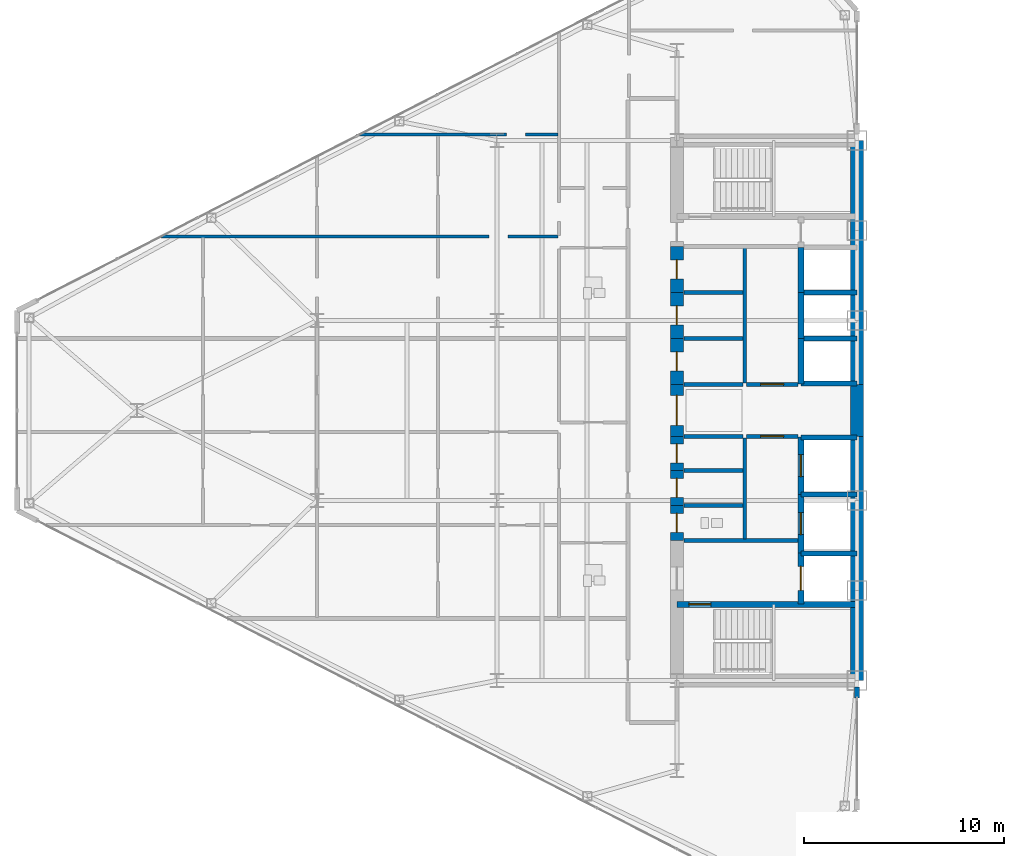
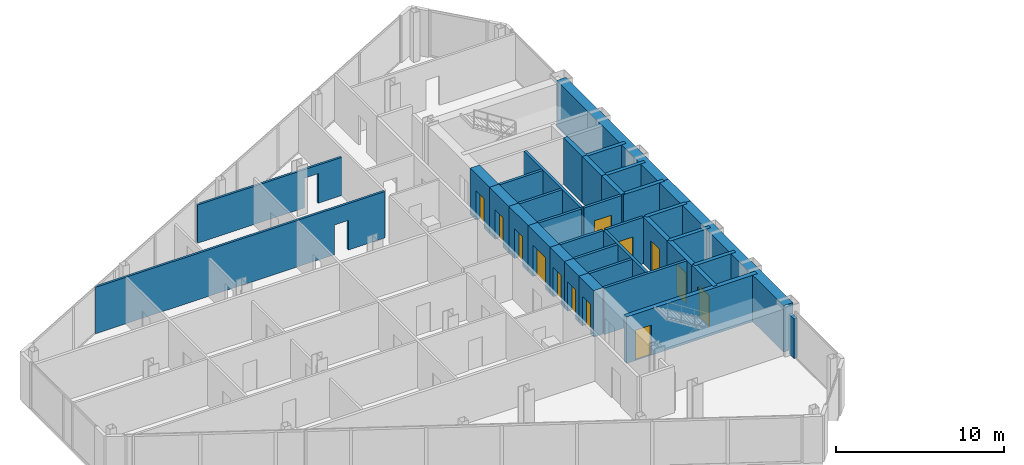
# One storey, part 17 of 24: 37 walls, 13 doors, 15 openings.
"""IFC4 building model written with IfcOpenShell, lengths in metres."""

from ifc_helpers import new_model, si_unit, direction, frame, frame_2d, origin, place, context, subcontext, project, spatial, rectangle, extrude, source, transform, mapped, material, layer, layer_set, type_object, type_shapes, element, fill, save


model = new_model("IFC4")

# Units and contexts
model_context = context("Model", 3, precision=1e-05, world=origin(), true_north=direction((0.0, 1.0)))
body_context = subcontext(model_context, "Body", "Model", "MODEL_VIEW")
ifc_project = project(units=[si_unit("LENGTHUNIT", "METRE"), si_unit("AREAUNIT", "SQUARE_METRE"), si_unit("VOLUMEUNIT", "CUBIC_METRE"), si_unit("PLANEANGLEUNIT", "RADIAN"), si_unit("MASSUNIT", "GRAM", prefix="KILO")], contexts=[model_context])

# Site, building, storey
site_placement = place(None, origin())
site = spatial("IfcSite", under=ifc_project, at=site_placement, CompositionType="ELEMENT")
building_placement = place(site_placement, origin())
building = spatial("IfcBuilding", under=site, at=building_placement, Name="Seokmaru Belvedere", CompositionType="ELEMENT")
storey_placement = place(building_placement, frame((0.0, 0.0, 121.199951171875)))
storey = spatial("IfcBuildingStorey", under=building, at=storey_placement, Name="L32", CompositionType="ELEMENT", Elevation=121.199951171875)

# Wall, opening
ifc_material_1 = material(Name="Fire-Rated Gypsum Shaftwall")
ifc_layer_1 = layer(ifc_material_1, 0.14990234375)
ifc_layer_set_1 = layer_set([ifc_layer_1], Name="Fire-Rated Gypsum Shaftwall")
wall_type_1 = type_object("IfcWallType", Name="Apartment Fire-Acoustic Room Partition 150", PredefinedType="PARTITIONING", material=ifc_layer_set_1)
wall_1_placement = place(storey_placement, frame((-62.321044921875, 8.699951171875, 0.0), z_axis=(0.0, 0.0, 1.0), x_axis=(1.0, 0.0, 0.0)))
wall_1 = element("IfcWall", 1, at=wall_1_placement, inside=storey, type_object=wall_type_1, Name="L32 Interior Partition 020", PredefinedType="PARTITIONING", context=body_context, shape_type="SweptSolid", body=[
    extrude(rectangle(XDim=19.87109375, YDim=0.14990234375, at=frame_2d((9.935546875, 0.0))), origin(), (0.0, 0.0, 1.0), 3.380126953125),
])
opening_1_placement = place(wall_1_placement, frame((16.4208984375, 0.0, 0.0)))
element("IfcOpeningElement", 2, at=opening_1_placement, cuts=wall_1, Name="L32 Cased Opening 020", PredefinedType="OPENING", context=body_context, shape_type="SweptSolid", body=[
    extrude(rectangle(XDim=0.949951171875, YDim=2.14990234375, at=frame_2d((0.47509765625, 1.074951171875))), frame((0.0, 0.0849609375, 0.0), z_axis=(0.0, -1.0, 0.0), x_axis=(1.0, 0.0, 0.0)), (0.0, 0.0, 1.0), 0.169921875),
])

wall_2_placement = place(storey_placement, frame((-52.3779296875, 13.800048828125, 0.0), z_axis=(0.0, 0.0, 1.0), x_axis=(1.0, 0.0, 0.0)))
wall_2 = element("IfcWall", 3, at=wall_2_placement, inside=storey, type_object=wall_type_1, Name="L32 Interior Partition 023", PredefinedType="PARTITIONING", context=body_context, shape_type="SweptSolid", body=[
    extrude(rectangle(XDim=9.927978515625, YDim=0.14990234375, at=frame_2d((4.9638671875, 0.0))), origin(), (0.0, 0.0, 1.0), 2.780029296875),
])
opening_2_placement = place(wall_2_placement, frame((7.351318359375, 0.0, 0.0)))
element("IfcOpeningElement", 4, at=opening_2_placement, cuts=wall_2, Name="L32 Cased Opening 022", PredefinedType="OPENING", context=body_context, shape_type="SweptSolid", body=[
    extrude(rectangle(XDim=0.949951171875, YDim=2.14990234375, at=frame_2d((0.47509765625, 1.074951171875))), frame((0.0, 0.0849609375, 0.0), z_axis=(0.0, -1.0, 0.0), x_axis=(1.0, 0.0, 0.0)), (0.0, 0.0, 1.0), 0.169921875),
])

# Walls
ifc_layer_2 = layer(ifc_material_1, 0.179931640625)
ifc_layer_set_2 = layer_set([ifc_layer_2], Name="Fire-Rated Gypsum Shaftwall")
wall_type_2 = type_object("IfcWallType", Name="Core Service Fire Partition 180", PredefinedType="PARTITIONING", material=ifc_layer_set_2)
wall_3_placement = place(storey_placement, frame((-36.14990234375, -6.5, 0.0), z_axis=(0.0, 0.0, 1.0), x_axis=(1.0, 0.0, 0.0)))
element("IfcWall", 5, at=wall_3_placement, inside=storey, type_object=wall_type_2, Name="L32 West Firefighting Lobby Partition", PredefinedType="PARTITIONING", context=body_context, shape_type="SweptSolid", body=[
    extrude(rectangle(XDim=5.699951171875, YDim=0.179931640625, at=frame_2d((2.85009765625, 0.0))), origin(), (0.0, 0.0, 1.0), 3.380126953125),
])
wall_4_placement = place(storey_placement, frame((-33.10009765625, -6.419921875, 0.0), z_axis=(0.0, 0.0, 1.0), x_axis=(0.0, 1.0, 0.0)))
element("IfcWall", 6, at=wall_4_placement, inside=storey, type_object=wall_type_2, Name="L32 West South Core Service Back Wall", PredefinedType="PARTITIONING", context=body_context, shape_type="SweptSolid", body=[
    extrude(rectangle(XDim=5.0400390625, YDim=0.179931640625, at=frame_2d((2.52001953125, 0.0))), origin(), (0.0, 0.0, 1.0), 3.380126953125),
])
wall_5_placement = place(storey_placement, frame((-33.10009765625, 1.3798828125, 0.0), z_axis=(0.0, 0.0, 1.0), x_axis=(0.0, 1.0, 0.0)))
element("IfcWall", 7, at=wall_5_placement, inside=storey, type_object=wall_type_2, Name="L32 West North Core Service Back Wall", PredefinedType="PARTITIONING", context=body_context, shape_type="SweptSolid", body=[
    extrude(rectangle(XDim=6.740234375, YDim=0.179931640625, at=frame_2d((3.3701171875, 0.0))), origin(), (0.0, 0.0, 1.0), 3.380126953125),
])

# Wall, opening, door
wall_6_placement = place(storey_placement, frame((-33.02001953125, -1.300048828125, 0.0), z_axis=(0.0, 0.0, 1.0), x_axis=(1.0, 0.0, 0.0)))
wall_6 = element("IfcWall", 8, at=wall_6_placement, inside=storey, type_object=wall_type_2, Name="L32 West South Lift Lobby Foyer Wall", PredefinedType="PARTITIONING", context=body_context, shape_type="SweptSolid", body=[
    extrude(rectangle(XDim=2.570068359375, YDim=0.179931640625, at=frame_2d((1.28515625, 0.0))), origin(), (0.0, 0.0, 1.0), 3.380126953125),
])
opening_3_placement = place(wall_6_placement, frame((0.7099609375, 0.0, 0.0)))
opening_3 = element("IfcOpeningElement", 9, at=opening_3_placement, cuts=wall_6, Name="Opening D02", PredefinedType="OPENING", context=body_context, shape_type="SweptSolid", body=[
    extrude(rectangle(XDim=1.14990234375, YDim=2.199951171875, at=frame_2d((0.574951171875, 1.10009765625))), frame((0.0, 0.10009765625, 0.0), z_axis=(0.0, -1.0, 0.0), x_axis=(1.0, 0.0, 0.0)), (0.0, 0.0, 1.0), 0.199951171875),
])
ifc_material_2 = material(Name="Fire-Rated Steel Leaf", Category="steel")
door_type_1 = type_object("IfcDoorType", Name="Lobby and Vestibule Fire Door 1150x2200", OperationType="NOTDEFINED", PredefinedType="DOOR", material=ifc_material_2)
shared_shape_1 = source(origin(), body_context, "Body", "SweptSolid", [
    extrude(rectangle(XDim=1.14990234375, YDim=2.199951171875, at=frame_2d((0.574951171875, 1.10009765625))), frame((0.0, 0.02490234375, 0.0), z_axis=(0.0, -1.0, 0.0), x_axis=(1.0, 0.0, 0.0)), (0.0, 0.0, 1.0), 0.050048828125),
])
type_shapes(door_type_1, [shared_shape_1])
door_1_placement = place(opening_3_placement, origin())
door_1 = element("IfcDoor", 10, at=door_1_placement, inside=storey, type_object=door_type_1, Name="L32 West South Core Foyer Door", OperationType="SINGLE_SWING_LEFT", OverallHeight=2.199951171875, OverallWidth=1.14990234375, PredefinedType="DOOR", context=body_context, shape_type="MappedRepresentation", body=[
    mapped(shared_shape_1, transform((0.0, 0.0, 0.0), scale=1.0)),
])
fill(opening_3, door_1)

wall_7_placement = place(storey_placement, frame((-33.02001953125, 1.300048828125, 0.0), z_axis=(0.0, 0.0, 1.0), x_axis=(1.0, 0.0, 0.0)))
wall_7 = element("IfcWall", 11, at=wall_7_placement, inside=storey, type_object=wall_type_2, Name="L32 West North Lift Lobby Foyer Wall", PredefinedType="PARTITIONING", context=body_context, shape_type="SweptSolid", body=[
    extrude(rectangle(XDim=2.570068359375, YDim=0.179931640625, at=frame_2d((1.28515625, 0.0))), origin(), (0.0, 0.0, 1.0), 3.380126953125),
])
opening_4_placement = place(wall_7_placement, frame((0.7099609375, 0.0, 0.0)))
opening_4 = element("IfcOpeningElement", 12, at=opening_4_placement, cuts=wall_7, Name="Opening D02", PredefinedType="OPENING", context=body_context, shape_type="SweptSolid", body=[
    extrude(rectangle(XDim=1.14990234375, YDim=2.199951171875, at=frame_2d((0.574951171875, 1.10009765625))), frame((0.0, 0.10009765625, 0.0), z_axis=(0.0, -1.0, 0.0), x_axis=(1.0, 0.0, 0.0)), (0.0, 0.0, 1.0), 0.199951171875),
])
door_2_placement = place(opening_4_placement, origin())
door_2 = element("IfcDoor", 13, at=door_2_placement, inside=storey, type_object=door_type_1, Name="L32 West North Lift Lobby Door", OperationType="SINGLE_SWING_RIGHT", OverallHeight=2.199951171875, OverallWidth=1.14990234375, PredefinedType="DOOR", context=body_context, shape_type="MappedRepresentation", body=[
    mapped(shared_shape_1, transform((0.0, 0.0, 0.0), scale=1.0)),
])
fill(opening_4, door_2)

# Walls
for number, where, z_axis, x_axis, name in (
    (14, (-36.14990234375, -1.300048828125, 0.0), (0.0, 0.0, 1.0), (1.0, 0.0, 0.0), "L32 West Foyer Side Wall S"),
    (15, (-36.14990234375, 1.300048828125, 0.0), (0.0, 0.0, 1.0), (1.0, 0.0, 0.0), "L32 West Foyer Side Wall N"),
    (16, (-36.14990234375, -4.75, 0.0), (0.0, 0.0, 1.0), (1.0, 0.0, 0.0), "L32 West Core Service Partition 1"),
    (17, (-36.14990234375, -3.0, 0.0), (0.0, 0.0, 1.0), (1.0, 0.0, 0.0), "L32 West Core Service Partition 2"),
    (18, (-36.14990234375, 3.60009765625, 0.0), (0.0, 0.0, 1.0), (1.0, 0.0, 0.0), "L32 West Core Service Partition 3"),
    (19, (-36.14990234375, 5.89990234375, 0.0), (0.0, 0.0, 1.0), (1.0, 0.0, 0.0), "L32 West Core Service Partition 4"),
):
    element("IfcWall", number, at=place(storey_placement, frame(where, z_axis=z_axis, x_axis=x_axis)), inside=storey, type_object=wall_type_2, Name=name, PredefinedType="PARTITIONING", context=body_context, shape_type="SweptSolid", body=[
        extrude(rectangle(XDim=2.949951171875, YDim=0.179931640625, at=frame_2d((1.47509765625, 0.0))), origin(), (0.0, 0.0, 1.0), 3.380126953125),
    ])
ifc_material_3 = material(Name="Concrete C50 (50 MPa)", Category="concrete")
ifc_layer_3 = layer(ifc_material_3, 0.25)
ifc_layer_set_3 = layer_set([ifc_layer_3], Name="Concrete C50 (50 MPa)")
wall_type_3 = type_object("IfcWallType", Name="Hoistway Transverse Concrete Divider Wall 250", PredefinedType="SHEAR", material=ifc_layer_set_3)
for number, where, z_axis, x_axis, name in (
    (20, (-30.300048828125, -7.14990234375, 0.0), (0.0, 0.0, 1.0), (1.0, 0.0, 0.0), "L32 West Hoistway Divider Core Wall 1"),
    (21, (-30.300048828125, -4.199951171875, 0.0), (0.0, 0.0, 1.0), (1.0, 0.0, 0.0), "L32 West Hoistway Divider Core Wall 2"),
    (22, (-30.300048828125, -1.35009765625, 0.0), (0.0, 0.0, 1.0), (1.0, 0.0, 0.0), "L32 West Hoistway Divider Core Wall 3"),
    (23, (-30.300048828125, 1.35009765625, 0.0), (0.0, 0.0, 1.0), (1.0, 0.0, 0.0), "L32 West Hoistway Divider Core Wall 4"),
    (24, (-30.300048828125, 3.60009765625, 0.0), (0.0, 0.0, 1.0), (1.0, 0.0, 0.0), "L32 West Hoistway Divider Core Wall 5"),
    (25, (-30.300048828125, 5.89990234375, 0.0), (0.0, 0.0, 1.0), (1.0, 0.0, 0.0), "L32 West Hoistway Divider Core Wall 6"),
):
    element("IfcWall", number, at=place(storey_placement, frame(where, z_axis=z_axis, x_axis=x_axis)), inside=storey, type_object=wall_type_3, Name=name, PredefinedType="SHEAR", context=body_context, shape_type="SweptSolid", body=[
        extrude(rectangle(XDim=2.800048828125, YDim=0.25, at=frame_2d((1.39990234375, 0.0))), origin(), (0.0, 0.0, 1.0), 3.380126953125),
    ])

# Wall, opening, door
ifc_layer_4 = layer(ifc_material_3, 0.300048828125)
ifc_layer_set_4 = layer_set([ifc_layer_4], Name="Concrete C50 (50 MPa)")
wall_type_4 = type_object("IfcWallType", Name="Internal Core Stair and Hoistway Wall 300", PredefinedType="SHEAR", material=ifc_layer_set_4)
wall_8_placement = place(storey_placement, frame((-36.5, -9.699951171875, 0.0), z_axis=(0.0, 0.0, 1.0), x_axis=(1.0, 0.0, 0.0)))
wall_8 = element("IfcWall", 26, at=wall_8_placement, inside=storey, type_object=wall_type_4, Name="L32 West Stair ST-1 Enclosure Wall", PredefinedType="SHEAR", context=body_context, shape_type="SweptSolid", body=[
    extrude(rectangle(XDim=9.0, YDim=0.300048828125, at=frame_2d((4.5, 0.0))), origin(), (0.0, 0.0, 1.0), 3.380126953125),
])
opening_5_placement = place(wall_8_placement, frame((0.60009765625, 0.0, 0.0)))
opening_5 = element("IfcOpeningElement", 27, at=opening_5_placement, cuts=wall_8, Name="Opening D01", PredefinedType="OPENING", context=body_context, shape_type="SweptSolid", body=[
    extrude(rectangle(XDim=1.10009765625, YDim=2.199951171875, at=frame_2d((0.550048828125, 1.10009765625))), frame((0.0, 0.16015625, 0.0), z_axis=(0.0, -1.0, 0.0), x_axis=(1.0, 0.0, 0.0)), (0.0, 0.0, 1.0), 0.320068359375),
])
door_type_2 = type_object("IfcDoorType", Name="Special Escape Stair Smokeproof Fire Door 1100x2200", OperationType="NOTDEFINED", PredefinedType="DOOR", material=ifc_material_2)
shared_shape_2 = source(origin(), body_context, "Body", "SweptSolid", [
    extrude(rectangle(XDim=1.10009765625, YDim=2.199951171875, at=frame_2d((0.550048828125, 1.10009765625))), frame((0.0, 0.02490234375, 0.0), z_axis=(0.0, -1.0, 0.0), x_axis=(1.0, 0.0, 0.0)), (0.0, 0.0, 1.0), 0.050048828125),
])
type_shapes(door_type_2, [shared_shape_2])
door_3_placement = place(opening_5_placement, frame((1.10009765625, 0.0, 0.0), z_axis=(0.0, 0.0, 1.0), x_axis=(-1.0, 0.0, 0.0)))
door_3 = element("IfcDoor", 28, at=door_3_placement, inside=storey, type_object=door_type_2, Name="L32 West Special Escape Stair ST-1 Door", OperationType="SINGLE_SWING_LEFT", OverallHeight=2.199951171875, OverallWidth=1.10009765625, PredefinedType="DOOR", context=body_context, shape_type="MappedRepresentation", body=[
    mapped(shared_shape_2, transform((0.0, 0.0, 0.0), scale=1.0)),
])
fill(opening_5, door_3)

wall_9_placement = place(storey_placement, frame((-30.300048828125, -9.679931640625, 0.0), z_axis=(0.0, 0.0, 1.0), x_axis=(0.0, 1.0, 0.0)))
wall_9 = element("IfcWall", 29, at=wall_9_placement, inside=storey, type_object=wall_type_4, Name="L32 West Firefighting Lift Shaft Front Wall", PredefinedType="SHEAR", context=body_context, shape_type="SweptSolid", body=[
    extrude(rectangle(XDim=2.559814453125, YDim=0.300048828125, at=frame_2d((1.27978515625, 0.0))), origin(), (0.0, 0.0, 1.0), 3.380126953125),
])
opening_6_placement = place(wall_9_placement, frame((0.679931640625, 0.0, 0.0)))
opening_6 = element("IfcOpeningElement", 30, at=opening_6_placement, cuts=wall_9, Name="Opening LD2", PredefinedType="OPENING", context=body_context, shape_type="SweptSolid", body=[
    extrude(rectangle(XDim=1.199951171875, YDim=2.25, at=frame_2d((0.60009765625, 1.125))), frame((0.0, 0.16015625, 0.0), z_axis=(0.0, -1.0, 0.0), x_axis=(1.0, 0.0, 0.0)), (0.0, 0.0, 1.0), 0.320068359375),
])
ifc_material_4 = material(Name="Stainless Steel 316", Category="steel")
door_type_3 = type_object("IfcDoorType", Name="Firefighting Lift Sliding Landing Door 1200x2250", OperationType="DOUBLE_DOOR_SLIDING", PredefinedType="DOOR", material=ifc_material_4)
shared_shape_3 = source(origin(), body_context, "Body", "SweptSolid", [
    extrude(rectangle(XDim=1.199951171875, YDim=2.25, at=frame_2d((0.60009765625, 1.125))), frame((0.0, 0.02490234375, 0.0), z_axis=(0.0, -1.0, 0.0), x_axis=(1.0, 0.0, 0.0)), (0.0, 0.0, 1.0), 0.050048828125),
])
type_shapes(door_type_3, [shared_shape_3])
door_4_placement = place(opening_6_placement, origin())
door_4 = element("IfcDoor", 31, at=door_4_placement, inside=storey, type_object=door_type_3, Name="L32 West Firefighting Lift Landing Door", OperationType="DOUBLE_DOOR_SLIDING", OverallHeight=2.25, OverallWidth=1.199951171875, PredefinedType="DOOR", context=body_context, shape_type="MappedRepresentation", body=[
    mapped(shared_shape_3, transform((0.0, 0.0, 0.0), scale=1.0)),
])
fill(opening_6, door_4)

wall_10_placement = place(storey_placement, frame((-30.300048828125, -7.1201171875, 0.0), z_axis=(0.0, 0.0, 1.0), x_axis=(0.0, 1.0, 0.0)))
wall_10 = element("IfcWall", 32, at=wall_10_placement, inside=storey, type_object=wall_type_4, Name="L32 West Low-Rise Lift PL-1 Front Wall", PredefinedType="SHEAR", context=body_context, shape_type="SweptSolid", body=[
    extrude(rectangle(XDim=2.920166015625, YDim=0.300048828125, at=frame_2d((1.4599609375, 0.0))), origin(), (0.0, 0.0, 1.0), 3.380126953125),
])
opening_7_placement = place(wall_10_placement, frame((0.909912109375, 0.0, 0.0)))
opening_7 = element("IfcOpeningElement", 33, at=opening_7_placement, cuts=wall_10, Name="Opening LD1", PredefinedType="OPENING", context=body_context, shape_type="SweptSolid", body=[
    extrude(rectangle(XDim=1.10009765625, YDim=2.199951171875, at=frame_2d((0.550048828125, 1.10009765625))), frame((0.0, 0.16015625, 0.0), z_axis=(0.0, -1.0, 0.0), x_axis=(1.0, 0.0, 0.0)), (0.0, 0.0, 1.0), 0.320068359375),
])
door_type_4 = type_object("IfcDoorType", Name="Passenger Lift Sliding Landing Door 1100x2200", OperationType="DOUBLE_DOOR_SLIDING", PredefinedType="DOOR", material=ifc_material_4)
shared_shape_4 = source(origin(), body_context, "Body", "SweptSolid", [
    extrude(rectangle(XDim=1.10009765625, YDim=2.199951171875, at=frame_2d((0.550048828125, 1.10009765625))), frame((0.0, 0.02490234375, 0.0), z_axis=(0.0, -1.0, 0.0), x_axis=(1.0, 0.0, 0.0)), (0.0, 0.0, 1.0), 0.050048828125),
])
type_shapes(door_type_4, [shared_shape_4])
door_5_placement = place(opening_7_placement, origin())
door_5 = element("IfcDoor", 34, at=door_5_placement, inside=storey, type_object=door_type_4, Name="L32 West Low-Rise Lift PL-1 Landing Door", OperationType="DOUBLE_DOOR_SLIDING", OverallHeight=2.199951171875, OverallWidth=1.10009765625, PredefinedType="DOOR", context=body_context, shape_type="MappedRepresentation", body=[
    mapped(shared_shape_4, transform((0.0, 0.0, 0.0), scale=1.0)),
])
fill(opening_7, door_5)

wall_11_placement = place(storey_placement, frame((-30.300048828125, -4.199951171875, 0.0), z_axis=(0.0, 0.0, 1.0), x_axis=(0.0, 1.0, 0.0)))
wall_11 = element("IfcWall", 35, at=wall_11_placement, inside=storey, type_object=wall_type_4, Name="L32 West Low-Rise Lift PL-2 Front Wall", PredefinedType="SHEAR", context=body_context, shape_type="SweptSolid", body=[
    extrude(rectangle(XDim=2.8798828125, YDim=0.300048828125, at=frame_2d((1.43994140625, 0.0))), origin(), (0.0, 0.0, 1.0), 3.380126953125),
])
opening_8_placement = place(wall_11_placement, frame((0.889892578125, 0.0, 0.0)))
opening_8 = element("IfcOpeningElement", 36, at=opening_8_placement, cuts=wall_11, Name="Opening LD1", PredefinedType="OPENING", context=body_context, shape_type="SweptSolid", body=[
    extrude(rectangle(XDim=1.10009765625, YDim=2.199951171875, at=frame_2d((0.550048828125, 1.10009765625))), frame((0.0, 0.16015625, 0.0), z_axis=(0.0, -1.0, 0.0), x_axis=(1.0, 0.0, 0.0)), (0.0, 0.0, 1.0), 0.320068359375),
])
door_6_placement = place(opening_8_placement, origin())
door_6 = element("IfcDoor", 37, at=door_6_placement, inside=storey, type_object=door_type_4, Name="L32 West Low-Rise Lift PL-2 Landing Door", OperationType="DOUBLE_DOOR_SLIDING", OverallHeight=2.199951171875, OverallWidth=1.10009765625, PredefinedType="DOOR", context=body_context, shape_type="MappedRepresentation", body=[
    mapped(shared_shape_4, transform((0.0, 0.0, 0.0), scale=1.0)),
])
fill(opening_8, door_6)

# Walls
wall_12_placement = place(storey_placement, frame((-30.300048828125, 1.320068359375, 0.0), z_axis=(0.0, 0.0, 1.0), x_axis=(0.0, 1.0, 0.0)))
element("IfcWall", 38, at=wall_12_placement, inside=storey, type_object=wall_type_4, Name="L32 West North Hoistway Wall PH1", PredefinedType="SHEAR", context=body_context, shape_type="SweptSolid", body=[
    extrude(rectangle(XDim=2.280029296875, YDim=0.300048828125, at=frame_2d((1.14013671875, 0.0))), origin(), (0.0, 0.0, 1.0), 3.380126953125),
])
wall_13_placement = place(storey_placement, frame((-30.300048828125, 3.60009765625, 0.0), z_axis=(0.0, 0.0, 1.0), x_axis=(0.0, 1.0, 0.0)))
element("IfcWall", 39, at=wall_13_placement, inside=storey, type_object=wall_type_4, Name="L32 West North Hoistway Wall PH2", PredefinedType="SHEAR", context=body_context, shape_type="SweptSolid", body=[
    extrude(rectangle(XDim=2.2998046875, YDim=0.300048828125, at=frame_2d((1.14990234375, 0.0))), origin(), (0.0, 0.0, 1.0), 3.380126953125),
])
wall_14_placement = place(storey_placement, frame((-30.300048828125, 5.89990234375, 0.0), z_axis=(0.0, 0.0, 1.0), x_axis=(0.0, 1.0, 0.0)))
element("IfcWall", 40, at=wall_14_placement, inside=storey, type_object=wall_type_4, Name="L32 West North Hoistway Wall OBS", PredefinedType="SHEAR", context=body_context, shape_type="SweptSolid", body=[
    extrude(rectangle(XDim=2.25, YDim=0.300048828125, at=frame_2d((1.125, 0.0))), origin(), (0.0, 0.0, 1.0), 3.380126953125),
])
ifc_material_5 = material(Name="Concrete C60 (60 MPa)", Category="concrete")
ifc_layer_5 = layer(ifc_material_5, 0.64990234375)
ifc_layer_set_5 = layer_set([ifc_layer_5], Name="Concrete C60 (60 MPa)")
wall_type_5 = type_object("IfcWallType", Name="Mid-Low Reinforced Concrete Core Wall 650", PredefinedType="SHEAR", material=ifc_layer_set_5)
for number, where, z_axis, x_axis, name in (
    (41, (-27.5, -13.5, 0.0), (0.0, 0.0, 1.0), (0.0, 1.0, 0.0), "L32 West Portal Spine Core Wall South"),
    (42, (-27.5, 1.300048828125, 0.0), (0.0, 0.0, 1.0), (0.0, 1.0, 0.0), "L32 West Portal Spine Core Wall North"),
):
    element("IfcWall", number, at=place(storey_placement, frame(where, z_axis=z_axis, x_axis=x_axis)), inside=storey, type_object=wall_type_5, Name=name, PredefinedType="SHEAR", context=body_context, shape_type="SweptSolid", body=[
        extrude(rectangle(XDim=12.199951171875, YDim=0.64990234375, at=frame_2d((6.10009765625, 0.0))), origin(), (0.0, 0.0, 1.0), 3.380126953125),
    ])
wall_15_placement = place(storey_placement, frame((-27.5, -1.300048828125, 0.0), z_axis=(0.0, 0.0, 1.0), x_axis=(0.0, 1.0, 0.0)))
element("IfcWall", 43, at=wall_15_placement, inside=storey, type_object=wall_type_5, Name="L32 West Portal Spine Core Wall Center", PredefinedType="SHEAR", context=body_context, shape_type="SweptSolid", body=[
    extrude(rectangle(XDim=2.60009765625, YDim=0.64990234375, at=frame_2d((1.300048828125, 0.0))), origin(), (0.0, 0.0, 1.0), 3.380126953125),
])

# Wall, opening, door
wall_16_placement = place(storey_placement, frame((-36.5, -1.300048828125, 0.0), z_axis=(0.0, 0.0, 1.0), x_axis=(0.0, 1.0, 0.0)))
wall_16 = element("IfcWall", 44, at=wall_16_placement, inside=storey, type_object=wall_type_5, Name="L32 West West Core Wall FOY", PredefinedType="SHEAR", context=body_context, shape_type="SweptSolid", body=[
    extrude(rectangle(XDim=2.60009765625, YDim=0.64990234375, at=frame_2d((1.300048828125, 0.0))), origin(), (0.0, 0.0, 1.0), 3.380126953125),
])
opening_9_placement = place(wall_16_placement, frame((0.550048828125, 0.0, 0.0)))
opening_9 = element("IfcOpeningElement", 45, at=opening_9_placement, cuts=wall_16, Name="Opening D08", PredefinedType="OPENING", context=body_context, shape_type="SweptSolid", body=[
    extrude(rectangle(XDim=1.5, YDim=2.300048828125, at=frame_2d((0.75, 1.14990234375))), frame((0.0, 0.3349609375, 0.0), z_axis=(0.0, -1.0, 0.0), x_axis=(1.0, 0.0, 0.0)), (0.0, 0.0, 1.0), 0.669921875),
])
door_type_5 = type_object("IfcDoorType", Name="Cross-Corridor Compartment Double Fire Door 1500x2300", OperationType="DOUBLE_SWING_LEFT", PredefinedType="DOOR", material=ifc_material_2)
shared_shape_5 = source(origin(), body_context, "Body", "SweptSolid", [
    extrude(rectangle(XDim=1.5, YDim=2.300048828125, at=frame_2d((0.75, 1.14990234375))), frame((0.0, 0.02490234375, 0.0), z_axis=(0.0, -1.0, 0.0), x_axis=(1.0, 0.0, 0.0)), (0.0, 0.0, 1.0), 0.050048828125),
])
type_shapes(door_type_5, [shared_shape_5])
door_7_placement = place(opening_9_placement, origin())
door_7 = element("IfcDoor", 46, at=door_7_placement, inside=storey, type_object=door_type_5, Name="L32 West Core Foyer Compartment Door", OperationType="DOUBLE_SWING_LEFT", OverallHeight=2.300048828125, OverallWidth=1.5, PredefinedType="DOOR", context=body_context, shape_type="MappedRepresentation", body=[
    mapped(shared_shape_5, transform((0.0, 0.0, 0.0), scale=1.0)),
])
fill(opening_9, door_7)

wall_17_placement = place(storey_placement, frame((-36.5, -6.5, 0.0), z_axis=(0.0, 0.0, 1.0), x_axis=(0.0, 1.0, 0.0)))
wall_17 = element("IfcWall", 47, at=wall_17_placement, inside=storey, type_object=wall_type_5, Name="L32 West West Core Wall CS1", PredefinedType="SHEAR", context=body_context, shape_type="SweptSolid", body=[
    extrude(rectangle(XDim=1.75, YDim=0.64990234375, at=frame_2d((0.875, 0.0))), origin(), (0.0, 0.0, 1.0), 3.380126953125),
])
opening_10_placement = place(wall_17_placement, frame((0.39990234375, 0.0, 0.0)))
opening_10 = element("IfcOpeningElement", 48, at=opening_10_placement, cuts=wall_17, Name="Opening D04", PredefinedType="OPENING", context=body_context, shape_type="SweptSolid", body=[
    extrude(rectangle(XDim=0.949951171875, YDim=2.14990234375, at=frame_2d((0.47509765625, 1.074951171875))), frame((0.0, 0.3349609375, 0.0), z_axis=(0.0, -1.0, 0.0), x_axis=(1.0, 0.0, 0.0)), (0.0, 0.0, 1.0), 0.669921875),
])
door_type_6 = type_object("IfcDoorType", Name="Core Service Room Fire Door 950x2150", OperationType="NOTDEFINED", PredefinedType="DOOR", material=ifc_material_2)
shared_shape_6 = source(origin(), body_context, "Body", "SweptSolid", [
    extrude(rectangle(XDim=0.949951171875, YDim=2.14990234375, at=frame_2d((0.47509765625, 1.074951171875))), frame((0.0, 0.02490234375, 0.0), z_axis=(0.0, -1.0, 0.0), x_axis=(1.0, 0.0, 0.0)), (0.0, 0.0, 1.0), 0.050048828125),
])
type_shapes(door_type_6, [shared_shape_6])
door_8_placement = place(opening_10_placement, origin())
door_8 = element("IfcDoor", 49, at=door_8_placement, inside=storey, type_object=door_type_6, Name="L32 West Core Service Room Door 1", OperationType="SINGLE_SWING_LEFT", OverallHeight=2.14990234375, OverallWidth=0.949951171875, PredefinedType="DOOR", context=body_context, shape_type="MappedRepresentation", body=[
    mapped(shared_shape_6, transform((0.0, 0.0, 0.0), scale=1.0)),
])
fill(opening_10, door_8)

wall_18_placement = place(storey_placement, frame((-36.5, -4.75, 0.0), z_axis=(0.0, 0.0, 1.0), x_axis=(0.0, 1.0, 0.0)))
wall_18 = element("IfcWall", 50, at=wall_18_placement, inside=storey, type_object=wall_type_5, Name="L32 West West Core Wall CS2", PredefinedType="SHEAR", context=body_context, shape_type="SweptSolid", body=[
    extrude(rectangle(XDim=1.75, YDim=0.64990234375, at=frame_2d((0.875, 0.0))), origin(), (0.0, 0.0, 1.0), 3.380126953125),
])
opening_11_placement = place(wall_18_placement, frame((0.39990234375, 0.0, 0.0)))
opening_11 = element("IfcOpeningElement", 51, at=opening_11_placement, cuts=wall_18, Name="Opening D04", PredefinedType="OPENING", context=body_context, shape_type="SweptSolid", body=[
    extrude(rectangle(XDim=0.949951171875, YDim=2.14990234375, at=frame_2d((0.47509765625, 1.074951171875))), frame((0.0, 0.3349609375, 0.0), z_axis=(0.0, -1.0, 0.0), x_axis=(1.0, 0.0, 0.0)), (0.0, 0.0, 1.0), 0.669921875),
])
door_9_placement = place(opening_11_placement, origin())
door_9 = element("IfcDoor", 52, at=door_9_placement, inside=storey, type_object=door_type_6, Name="L32 West Core Service Room Door 2", OperationType="SINGLE_SWING_RIGHT", OverallHeight=2.14990234375, OverallWidth=0.949951171875, PredefinedType="DOOR", context=body_context, shape_type="MappedRepresentation", body=[
    mapped(shared_shape_6, transform((0.0, 0.0, 0.0), scale=1.0)),
])
fill(opening_11, door_9)

wall_19_placement = place(storey_placement, frame((-36.5, -3.0, 0.0), z_axis=(0.0, 0.0, 1.0), x_axis=(0.0, 1.0, 0.0)))
wall_19 = element("IfcWall", 53, at=wall_19_placement, inside=storey, type_object=wall_type_5, Name="L32 West West Core Wall CS3", PredefinedType="SHEAR", context=body_context, shape_type="SweptSolid", body=[
    extrude(rectangle(XDim=1.699951171875, YDim=0.64990234375, at=frame_2d((0.85009765625, 0.0))), origin(), (0.0, 0.0, 1.0), 3.380126953125),
])
opening_12_placement = place(wall_19_placement, frame((0.375, 0.0, 0.0)))
opening_12 = element("IfcOpeningElement", 54, at=opening_12_placement, cuts=wall_19, Name="Opening D04", PredefinedType="OPENING", context=body_context, shape_type="SweptSolid", body=[
    extrude(rectangle(XDim=0.949951171875, YDim=2.14990234375, at=frame_2d((0.47509765625, 1.074951171875))), frame((0.0, 0.3349609375, 0.0), z_axis=(0.0, -1.0, 0.0), x_axis=(1.0, 0.0, 0.0)), (0.0, 0.0, 1.0), 0.669921875),
])
door_10_placement = place(opening_12_placement, origin())
door_10 = element("IfcDoor", 55, at=door_10_placement, inside=storey, type_object=door_type_6, Name="L32 West Core Service Room Door 3", OperationType="SINGLE_SWING_LEFT", OverallHeight=2.14990234375, OverallWidth=0.949951171875, PredefinedType="DOOR", context=body_context, shape_type="MappedRepresentation", body=[
    mapped(shared_shape_6, transform((0.0, 0.0, 0.0), scale=1.0)),
])
fill(opening_12, door_10)

wall_20_placement = place(storey_placement, frame((-36.5, 1.300048828125, 0.0), z_axis=(0.0, 0.0, 1.0), x_axis=(0.0, 1.0, 0.0)))
wall_20 = element("IfcWall", 56, at=wall_20_placement, inside=storey, type_object=wall_type_5, Name="L32 West West Core Wall CS4", PredefinedType="SHEAR", context=body_context, shape_type="SweptSolid", body=[
    extrude(rectangle(XDim=2.300048828125, YDim=0.64990234375, at=frame_2d((1.14990234375, 0.0))), origin(), (0.0, 0.0, 1.0), 3.380126953125),
])
opening_13_placement = place(wall_20_placement, frame((0.675048828125, 0.0, 0.0)))
opening_13 = element("IfcOpeningElement", 57, at=opening_13_placement, cuts=wall_20, Name="Opening D04", PredefinedType="OPENING", context=body_context, shape_type="SweptSolid", body=[
    extrude(rectangle(XDim=0.949951171875, YDim=2.14990234375, at=frame_2d((0.47509765625, 1.074951171875))), frame((0.0, 0.3349609375, 0.0), z_axis=(0.0, -1.0, 0.0), x_axis=(1.0, 0.0, 0.0)), (0.0, 0.0, 1.0), 0.669921875),
])
door_11_placement = place(opening_13_placement, origin())
door_11 = element("IfcDoor", 58, at=door_11_placement, inside=storey, type_object=door_type_6, Name="L32 West Core Service Room Door 4", OperationType="SINGLE_SWING_RIGHT", OverallHeight=2.14990234375, OverallWidth=0.949951171875, PredefinedType="DOOR", context=body_context, shape_type="MappedRepresentation", body=[
    mapped(shared_shape_6, transform((0.0, 0.0, 0.0), scale=1.0)),
])
fill(opening_13, door_11)

wall_21_placement = place(storey_placement, frame((-36.5, 3.60009765625, 0.0), z_axis=(0.0, 0.0, 1.0), x_axis=(0.0, 1.0, 0.0)))
wall_21 = element("IfcWall", 59, at=wall_21_placement, inside=storey, type_object=wall_type_5, Name="L32 West West Core Wall CS5", PredefinedType="SHEAR", context=body_context, shape_type="SweptSolid", body=[
    extrude(rectangle(XDim=2.2998046875, YDim=0.64990234375, at=frame_2d((1.14990234375, 0.0))), origin(), (0.0, 0.0, 1.0), 3.380126953125),
])
opening_14_placement = place(wall_21_placement, frame((0.675048828125, 0.0, 0.0)))
opening_14 = element("IfcOpeningElement", 60, at=opening_14_placement, cuts=wall_21, Name="Opening D04", PredefinedType="OPENING", context=body_context, shape_type="SweptSolid", body=[
    extrude(rectangle(XDim=0.949951171875, YDim=2.14990234375, at=frame_2d((0.47509765625, 1.074951171875))), frame((0.0, 0.3349609375, 0.0), z_axis=(0.0, -1.0, 0.0), x_axis=(1.0, 0.0, 0.0)), (0.0, 0.0, 1.0), 0.669921875),
])
door_12_placement = place(opening_14_placement, origin())
door_12 = element("IfcDoor", 61, at=door_12_placement, inside=storey, type_object=door_type_6, Name="L32 West Core Service Room Door 5", OperationType="SINGLE_SWING_LEFT", OverallHeight=2.14990234375, OverallWidth=0.949951171875, PredefinedType="DOOR", context=body_context, shape_type="MappedRepresentation", body=[
    mapped(shared_shape_6, transform((0.0, 0.0, 0.0), scale=1.0)),
])
fill(opening_14, door_12)

wall_22_placement = place(storey_placement, frame((-36.5, 5.89990234375, 0.0), z_axis=(0.0, 0.0, 1.0), x_axis=(0.0, 1.0, 0.0)))
wall_22 = element("IfcWall", 62, at=wall_22_placement, inside=storey, type_object=wall_type_5, Name="L32 West West Core Wall CS6", PredefinedType="SHEAR", context=body_context, shape_type="SweptSolid", body=[
    extrude(rectangle(XDim=2.300048828125, YDim=0.64990234375, at=frame_2d((1.14990234375, 0.0))), origin(), (0.0, 0.0, 1.0), 3.380126953125),
])
opening_15_placement = place(wall_22_placement, frame((0.675048828125, 0.0, 0.0)))
opening_15 = element("IfcOpeningElement", 63, at=opening_15_placement, cuts=wall_22, Name="Opening D04", PredefinedType="OPENING", context=body_context, shape_type="SweptSolid", body=[
    extrude(rectangle(XDim=0.949951171875, YDim=2.14990234375, at=frame_2d((0.47509765625, 1.074951171875))), frame((0.0, 0.3349609375, 0.0), z_axis=(0.0, -1.0, 0.0), x_axis=(1.0, 0.0, 0.0)), (0.0, 0.0, 1.0), 0.669921875),
])
door_13_placement = place(opening_15_placement, origin())
door_13 = element("IfcDoor", 64, at=door_13_placement, inside=storey, type_object=door_type_6, Name="L32 West Core Service Room Door 6", OperationType="SINGLE_SWING_RIGHT", OverallHeight=2.14990234375, OverallWidth=0.949951171875, PredefinedType="DOOR", context=body_context, shape_type="MappedRepresentation", body=[
    mapped(shared_shape_6, transform((0.0, 0.0, 0.0), scale=1.0)),
])
fill(opening_15, door_13)

# Wall
ifc_material_6 = material(Name="Anodised Bronze Aluminium", Category="aluminium")
ifc_layer_6 = layer(ifc_material_6, 0.239990234375)
ifc_layer_set_6 = layer_set([ifc_layer_6], Name="Anodised Bronze Aluminium")
wall_type_6 = type_object("IfcWallType", Name="Tower Corner Spandrel Closure Wall 240", PredefinedType="SOLIDWALL", material=ifc_layer_set_6)
wall_23_placement = place(storey_placement, frame((-27.5, -14.3798828125, 0.0), z_axis=(0.0, 0.0, 1.0), x_axis=(0.0, 1.0, 0.0)))
element("IfcWall", 65, at=wall_23_placement, inside=storey, type_object=wall_type_6, Name="L32 W Spine Closure Pier 1B", PredefinedType="SOLIDWALL", context=body_context, shape_type="SweptSolid", body=[
    extrude(rectangle(XDim=0.5498046875, YDim=0.239990234375, at=frame_2d((0.27490234375, 0.0))), origin(), (0.0, 0.0, 1.0), 2.880126953125),
])

save(model, "model.ifc")
